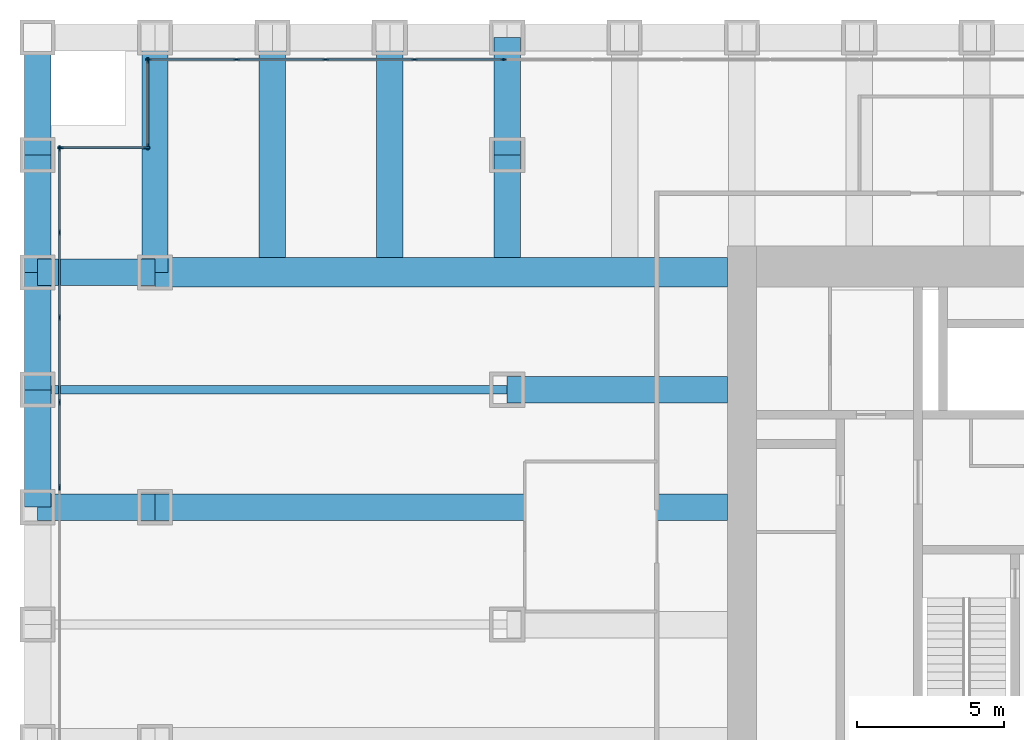
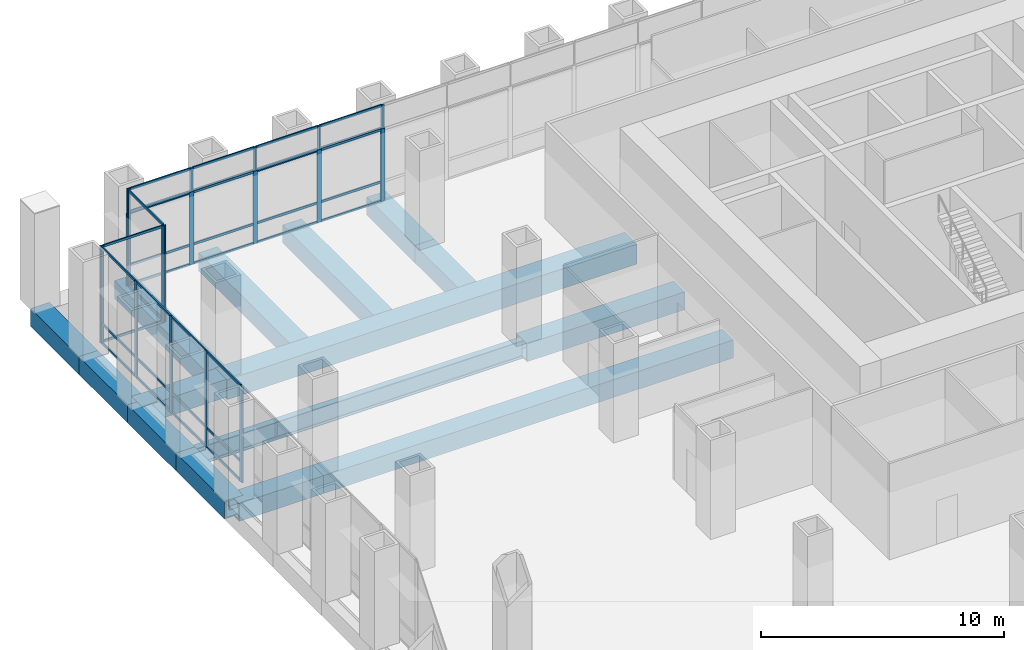
# One storey, part 8 of 18: 55 members, 15 beams, 5 elements without a shape of their own.
"""IFC4 building model written with IfcOpenShell, lengths in metres."""

from ifc_helpers import new_model, si_unit, direction, frame, origin, origin_2d, place, context, subcontext, project, spatial, rectangle, hollow_rectangle, i_section, extrude, material, material_profile, profile_set, type_object, element, aggregate, save


model = new_model("IFC4")

# Units and contexts
model_context = context("Model", 3, precision=1e-05, world=origin(), true_north=direction((0.0, 1.0)))
body_context = subcontext(model_context, "Body", "Model", "MODEL_VIEW")
ifc_project = project(units=[si_unit("LENGTHUNIT", "METRE"), si_unit("AREAUNIT", "SQUARE_METRE"), si_unit("VOLUMEUNIT", "CUBIC_METRE"), si_unit("PLANEANGLEUNIT", "RADIAN"), si_unit("MASSUNIT", "GRAM", prefix="KILO")], contexts=[model_context])

# Site, building, storey
site_placement = place(None, origin())
site = spatial("IfcSite", under=ifc_project, at=site_placement, CompositionType="ELEMENT")
building_placement = place(site_placement, origin())
building = spatial("IfcBuilding", under=site, at=building_placement, Name="Rimbunsela Tower", CompositionType="ELEMENT")
storey_placement = place(building_placement, frame((0.0, 0.0, 6.0)))
storey = spatial("IfcBuildingStorey", under=building, at=storey_placement, Name="L01", CompositionType="ELEMENT", Elevation=6.0)

# Beams
ifc_material_1 = material(Name="Steel BJ 55 (fy 410 MPa)", Category="steel")
ifc_material_profile_1 = material_profile(ifc_material_1, hollow_rectangle(XDim=1.0, YDim=1.0, WallThickness=0.10009765625, at=origin_2d()), Name="BOX 1000x1000x100")
ifc_profile_set_1 = profile_set([ifc_material_profile_1], Name="Steel BJ 55 (fy 410 MPa)")
beam_type_1 = type_object("IfcBeamType", Name="Beam BOX 1000x1000x100", PredefinedType="BEAM", material=ifc_profile_set_1)
beam_1_placement = place(storey_placement, frame((-2.0, 36.0, -0.64990234375), z_axis=(1.0, 0.0, 0.0), x_axis=(0.0, 1.0, 0.0)))
element("IfcBeam", 1, at=beam_1_placement, inside=storey, type_object=beam_type_1, Name="Beam B3 L01", PredefinedType="BEAM", context=body_context, shape_type="SweptSolid", body=[
    extrude(hollow_rectangle(XDim=1.0, YDim=1.0, WallThickness=0.10009765625, at=origin_2d()), origin(), (0.0, 0.0, 1.0), 19.5),
])
ifc_material_2 = material(Name="Steel BJ 55 (fy 410 MPa)", Category="steel")
ifc_material_profile_2 = material_profile(ifc_material_2, hollow_rectangle(XDim=0.89990234375, YDim=0.89990234375, WallThickness=0.06005859375, at=origin_2d()), Name="BOX 900x900x60")
ifc_profile_set_2 = profile_set([ifc_material_profile_2], Name="Steel BJ 55 (fy 410 MPa)")
beam_type_2 = type_object("IfcBeamType", Name="Beam BOX 900x900x60", PredefinedType="BEAM", material=ifc_profile_set_2)
for number, where, z_axis, x_axis, name in (
    (2, (-6.0, 28.0, -0.60009765625), (0.0, 1.0, 0.0), (-1.0, 0.0, 0.0), "Beam B1 L01"),
    (3, (-6.0, 28.0, -0.60009765625), (1.0, 0.0, 0.0), (0.0, 1.0, 0.0), "Beam B1 L01"),
    (4, (-6.0, 32.0, -0.60009765625), (0.0, 1.0, 0.0), (-1.0, 0.0, 0.0), "Beam B1 L01"),
    (5, (-6.0, 36.0, -0.60009765625), (0.0, 1.0, 0.0), (-1.0, 0.0, 0.0), "Beam B1 L01"),
    (6, (-6.0, 36.0, -0.60009765625), (1.0, 0.0, 0.0), (0.0, 1.0, 0.0), "Beam B1 L01"),
    (7, (-6.0, 40.0, -0.60009765625), (0.0, 1.0, 0.0), (-1.0, 0.0, 0.0), "Beam B1 L01"),
):
    element("IfcBeam", number, at=place(storey_placement, frame(where, z_axis=z_axis, x_axis=x_axis)), inside=storey, type_object=beam_type_2, Name=name, PredefinedType="BEAM", context=body_context, shape_type="SweptSolid", body=[
        extrude(hollow_rectangle(XDim=0.89990234375, YDim=0.89990234375, WallThickness=0.06005859375, at=origin_2d()), origin(), (0.0, 0.0, 1.0), 4.0),
    ])
beam_2_placement = place(storey_placement, frame((-2.0, 28.0, -0.60009765625), z_axis=(1.0, 0.0, 0.0), x_axis=(0.0, 1.0, 0.0)))
element("IfcBeam", 8, at=beam_2_placement, inside=storey, type_object=beam_type_2, Name="Beam B1 L01", PredefinedType="BEAM", context=body_context, shape_type="SweptSolid", body=[
    extrude(hollow_rectangle(XDim=0.89990234375, YDim=0.89990234375, WallThickness=0.06005859375, at=origin_2d()), origin(), (0.0, 0.0, 1.0), 19.5),
])
beam_3_placement = place(storey_placement, frame((-2.0, 36.0, -0.60009765625), z_axis=(0.0, 1.0, 0.0), x_axis=(-1.0, 0.0, 0.0)))
element("IfcBeam", 9, at=beam_3_placement, inside=storey, type_object=beam_type_2, Name="Beam B1 L01", PredefinedType="BEAM", context=body_context, shape_type="SweptSolid", body=[
    extrude(hollow_rectangle(XDim=0.89990234375, YDim=0.89990234375, WallThickness=0.06005859375, at=origin_2d()), origin(), (0.0, 0.0, 1.0), 8.0),
])
for number, where, z_axis, x_axis, name in (
    (10, (2.0, 36.5, -0.60009765625), (0.0, 1.0, 0.0), (-1.0, 0.0, 0.0), "Beam B1 L01"),
    (11, (6.0, 36.5, -0.60009765625), (0.0, 1.0, 0.0), (-1.0, 0.0, 0.0), "Beam B1 L01"),
    (12, (10.0, 32.0, -0.60009765625), (1.0, 0.0, 0.0), (0.0, 1.0, 0.0), "Beam B1 L01"),
):
    element("IfcBeam", number, at=place(storey_placement, frame(where, z_axis=z_axis, x_axis=x_axis)), inside=storey, type_object=beam_type_2, Name=name, PredefinedType="BEAM", context=body_context, shape_type="SweptSolid", body=[
        extrude(hollow_rectangle(XDim=0.89990234375, YDim=0.89990234375, WallThickness=0.06005859375, at=origin_2d()), origin(), (0.0, 0.0, 1.0), 7.5),
    ])
beam_4_placement = place(storey_placement, frame((10.0, 36.5, -0.60009765625), z_axis=(0.0, 1.0, 0.0), x_axis=(-1.0, 0.0, 0.0)))
element("IfcBeam", 13, at=beam_4_placement, inside=storey, type_object=beam_type_2, Name="Beam B1 L01", PredefinedType="BEAM", context=body_context, shape_type="SweptSolid", body=[
    extrude(hollow_rectangle(XDim=0.89990234375, YDim=0.89990234375, WallThickness=0.06005859375, at=origin_2d()), origin(), (0.0, 0.0, 1.0), 3.5),
])
beam_5_placement = place(storey_placement, frame((10.0, 40.0, -0.60009765625), z_axis=(0.0, 1.0, 0.0), x_axis=(-1.0, 0.0, 0.0)))
element("IfcBeam", 14, at=beam_5_placement, inside=storey, type_object=beam_type_2, Name="Beam B1 L01", PredefinedType="BEAM", context=body_context, shape_type="SweptSolid", body=[
    extrude(hollow_rectangle(XDim=0.89990234375, YDim=0.89990234375, WallThickness=0.06005859375, at=origin_2d()), origin(), (0.0, 0.0, 1.0), 4.0),
])
ifc_material_3 = material(Name="Steel BJ 55 (fy 410 MPa)", Category="steel")
ifc_material_profile_3 = material_profile(ifc_material_3, i_section(OverallWidth=0.300048828125, OverallDepth=0.89990234375, WebThickness=0.01611328125, FlangeThickness=0.028076171875, FilletRadius=0.028076171875, at=origin_2d()), Name="H 900x300x16x28")
ifc_profile_set_3 = profile_set([ifc_material_profile_3], Name="Steel BJ 55 (fy 410 MPa)")
beam_type_3 = type_object("IfcBeamType", Name="Beam H 900x300x16x28", PredefinedType="BEAM", material=ifc_profile_set_3)
beam_6_placement = place(storey_placement, frame((-6.0, 32.0, -0.60009765625), z_axis=(1.0, 0.0, 0.0), x_axis=(0.0, 1.0, 0.0)))
element("IfcBeam", 15, at=beam_6_placement, inside=storey, type_object=beam_type_3, Name="Beam B2 L01", PredefinedType="BEAM", context=body_context, shape_type="SweptSolid", body=[
    extrude(i_section(OverallWidth=0.300048828125, OverallDepth=0.89990234375, WebThickness=0.01611328125, FlangeThickness=0.028076171875, FilletRadius=0.028076171875, at=origin_2d()), origin(), (0.0, 0.0, 1.0), 16.0),
])

# Curtain wall, members
ifc_material_4 = material(Name="Aluminium curtain wall", Category="aluminium")
curtain_wall_type_1 = type_object("IfcCurtainWallType", Name="Spandrel wall", PredefinedType="USERDEFINED", material=ifc_material_4)
curtain_wall_1_placement = place(storey_placement, origin())
curtain_wall_1 = element("IfcCurtainWall", 16, at=curtain_wall_1_placement, inside=storey, type_object=curtain_wall_type_1, Name="Spandrel wall L01", ObjectType="SPANDREL WALL", PredefinedType="USERDEFINED")
ifc_material_5 = material(Name="Aluminium mullion", Category="aluminium")
ifc_material_profile_4 = material_profile(ifc_material_5, rectangle(XDim=0.06005859375, YDim=0.159912109375, at=origin_2d()), Name="Mullion 60x160")
ifc_profile_set_4 = profile_set([ifc_material_profile_4], Name="Aluminium mullion")
member_type_1 = type_object("IfcMemberType", Name="Curtain wall mullion 60x160", PredefinedType="MULLION", material=ifc_profile_set_4)
member_1_placement = place(storey_placement, frame((9.875, 43.25, 3.64990234375), z_axis=(0.0, 0.0, 1.0), x_axis=(0.0, -1.0, 0.0)))
member_1 = element("IfcMember", 17, at=member_1_placement, type_object=member_type_1, Name="CW7 mullion 13", PredefinedType="MULLION", context=body_context, shape_type="SweptSolid", body=[
    extrude(rectangle(XDim=0.06005859375, YDim=0.159912109375, at=origin_2d()), origin(), (0.0, 0.0, 1.0), 1.2001953125),
])
member_2_placement = place(storey_placement, frame((6.84375, 43.25, 3.64990234375), z_axis=(0.0, 0.0, 1.0), x_axis=(0.0, -1.0, 0.0)))
member_2 = element("IfcMember", 18, at=member_2_placement, type_object=member_type_1, Name="CW7 mullion 14", PredefinedType="MULLION", context=body_context, shape_type="SweptSolid", body=[
    extrude(rectangle(XDim=0.06005859375, YDim=0.159912109375, at=origin_2d()), origin(), (0.0, 0.0, 1.0), 1.2001953125),
])
member_3_placement = place(storey_placement, frame((3.8125, 43.25, 3.64990234375), z_axis=(0.0, 0.0, 1.0), x_axis=(0.0, -1.0, 0.0)))
member_3 = element("IfcMember", 19, at=member_3_placement, type_object=member_type_1, Name="CW7 mullion 15", PredefinedType="MULLION", context=body_context, shape_type="SweptSolid", body=[
    extrude(rectangle(XDim=0.06005859375, YDim=0.159912109375, at=origin_2d()), origin(), (0.0, 0.0, 1.0), 1.2001953125),
])
member_4_placement = place(storey_placement, frame((0.78125, 43.25, 3.64990234375), z_axis=(0.0, 0.0, 1.0), x_axis=(0.0, -1.0, 0.0)))
member_4 = element("IfcMember", 20, at=member_4_placement, type_object=member_type_1, Name="CW7 mullion 16", PredefinedType="MULLION", context=body_context, shape_type="SweptSolid", body=[
    extrude(rectangle(XDim=0.06005859375, YDim=0.159912109375, at=origin_2d()), origin(), (0.0, 0.0, 1.0), 1.2001953125),
])
member_5_placement = place(storey_placement, frame((-2.219970703125, 43.25, 3.64990234375), z_axis=(0.0, 0.0, 1.0), x_axis=(0.0, -1.0, 0.0)))
member_5 = element("IfcMember", 21, at=member_5_placement, type_object=member_type_1, Name="CW7 mullion 17", PredefinedType="MULLION", context=body_context, shape_type="SweptSolid", body=[
    extrude(rectangle(XDim=0.06005859375, YDim=0.159912109375, at=origin_2d()), origin(), (0.0, 0.0, 1.0), 1.2001953125),
])

ifc_material_6 = material(Name="Aluminium curtain wall", Category="aluminium")
curtain_wall_type_2 = type_object("IfcCurtainWallType", Name="Podium glazing", PredefinedType="USERDEFINED", material=ifc_material_6)
curtain_wall_2_placement = place(storey_placement, origin())
curtain_wall_2 = element("IfcCurtainWall", 22, at=curtain_wall_2_placement, inside=storey, type_object=curtain_wall_type_2, Name="Podium glazing L01", ObjectType="PODIUM GLAZING", PredefinedType="USERDEFINED")
ifc_material_7 = material(Name="Aluminium mullion", Category="aluminium")
ifc_material_profile_5 = material_profile(ifc_material_7, rectangle(XDim=0.06005859375, YDim=0.199951171875, at=origin_2d()), Name="Mullion 60x200")
ifc_profile_set_5 = profile_set([ifc_material_profile_5], Name="Aluminium mullion")
member_type_2 = type_object("IfcMemberType", Name="Curtain wall mullion 60x200", PredefinedType="MULLION", material=ifc_profile_set_5)
member_6_placement = place(storey_placement, frame((9.875, 43.25, 0.0), z_axis=(0.0, 0.0, 1.0), x_axis=(0.0, -1.0, 0.0)))
member_6 = element("IfcMember", 23, at=member_6_placement, type_object=member_type_2, Name="CW1 mullion 13", PredefinedType="MULLION", context=body_context, shape_type="SweptSolid", body=[
    extrude(rectangle(XDim=0.06005859375, YDim=0.199951171875, at=origin_2d()), origin(), (0.0, 0.0, 1.0), 3.64990234375),
])
member_7_placement = place(storey_placement, frame((6.84375, 43.25, 0.0), z_axis=(0.0, 0.0, 1.0), x_axis=(0.0, -1.0, 0.0)))
member_7 = element("IfcMember", 24, at=member_7_placement, type_object=member_type_2, Name="CW1 mullion 14", PredefinedType="MULLION", context=body_context, shape_type="SweptSolid", body=[
    extrude(rectangle(XDim=0.06005859375, YDim=0.199951171875, at=origin_2d()), origin(), (0.0, 0.0, 1.0), 3.64990234375),
])
member_8_placement = place(storey_placement, frame((3.8125, 43.25, 0.0), z_axis=(0.0, 0.0, 1.0), x_axis=(0.0, -1.0, 0.0)))
member_8 = element("IfcMember", 25, at=member_8_placement, type_object=member_type_2, Name="CW1 mullion 15", PredefinedType="MULLION", context=body_context, shape_type="SweptSolid", body=[
    extrude(rectangle(XDim=0.06005859375, YDim=0.199951171875, at=origin_2d()), origin(), (0.0, 0.0, 1.0), 3.64990234375),
])
member_9_placement = place(storey_placement, frame((0.78125, 43.25, 0.0), z_axis=(0.0, 0.0, 1.0), x_axis=(0.0, -1.0, 0.0)))
member_9 = element("IfcMember", 26, at=member_9_placement, type_object=member_type_2, Name="CW1 mullion 16", PredefinedType="MULLION", context=body_context, shape_type="SweptSolid", body=[
    extrude(rectangle(XDim=0.06005859375, YDim=0.199951171875, at=origin_2d()), origin(), (0.0, 0.0, 1.0), 3.64990234375),
])
member_10_placement = place(storey_placement, frame((-2.219970703125, 43.25, 0.0), z_axis=(0.0, 0.0, 1.0), x_axis=(0.0, -1.0, 0.0)))
member_10 = element("IfcMember", 27, at=member_10_placement, type_object=member_type_2, Name="CW1 mullion 17", PredefinedType="MULLION", context=body_context, shape_type="SweptSolid", body=[
    extrude(rectangle(XDim=0.06005859375, YDim=0.199951171875, at=origin_2d()), origin(), (0.0, 0.0, 1.0), 3.64990234375),
])

ifc_material_8 = material(Name="Aluminium curtain wall", Category="aluminium")
curtain_wall_type_3 = type_object("IfcCurtainWallType", Name="Corner glazing", PredefinedType="USERDEFINED", material=ifc_material_8)
curtain_wall_3_placement = place(storey_placement, origin())
curtain_wall_3 = element("IfcCurtainWall", 28, at=curtain_wall_3_placement, inside=storey, type_object=curtain_wall_type_3, Name="Corner glazing L01", ObjectType="CORNER GLAZING", PredefinedType="USERDEFINED")
member_11_placement = place(storey_placement, frame((-2.25, 43.219970703125, 0.0), z_axis=(0.0, 0.0, 1.0), x_axis=(1.0, 0.0, 0.0)))
member_11 = element("IfcMember", 29, at=member_11_placement, type_object=member_type_2, Name="CW5 mullion 1", PredefinedType="MULLION", context=body_context, shape_type="SweptSolid", body=[
    extrude(rectangle(XDim=0.06005859375, YDim=0.199951171875, at=origin_2d()), origin(), (0.0, 0.0, 1.0), 4.85009765625),
])
member_12_placement = place(storey_placement, frame((-2.25, 40.280029296875, 0.0), z_axis=(0.0, 0.0, 1.0), x_axis=(1.0, 0.0, 0.0)))
member_12 = element("IfcMember", 30, at=member_12_placement, type_object=member_type_2, Name="CW5 mullion 2", PredefinedType="MULLION", context=body_context, shape_type="SweptSolid", body=[
    extrude(rectangle(XDim=0.06005859375, YDim=0.199951171875, at=origin_2d()), origin(), (0.0, 0.0, 1.0), 4.85009765625),
])

curtain_wall_4_placement = place(storey_placement, origin())
curtain_wall_4 = element("IfcCurtainWall", 31, at=curtain_wall_4_placement, inside=storey, type_object=curtain_wall_type_3, Name="Corner glazing L01", ObjectType="CORNER GLAZING", PredefinedType="USERDEFINED")
member_13_placement = place(storey_placement, frame((-2.280029296875, 40.25, 0.0), z_axis=(0.0, 0.0, 1.0), x_axis=(0.0, -1.0, 0.0)))
member_13 = element("IfcMember", 32, at=member_13_placement, type_object=member_type_2, Name="CW5 mullion 1", PredefinedType="MULLION", context=body_context, shape_type="SweptSolid", body=[
    extrude(rectangle(XDim=0.06005859375, YDim=0.199951171875, at=origin_2d()), origin(), (0.0, 0.0, 1.0), 4.85009765625),
])
member_14_placement = place(storey_placement, frame((-5.219970703125, 40.25, 0.0), z_axis=(0.0, 0.0, 1.0), x_axis=(0.0, -1.0, 0.0)))
member_14 = element("IfcMember", 33, at=member_14_placement, type_object=member_type_2, Name="CW5 mullion 2", PredefinedType="MULLION", context=body_context, shape_type="SweptSolid", body=[
    extrude(rectangle(XDim=0.06005859375, YDim=0.199951171875, at=origin_2d()), origin(), (0.0, 0.0, 1.0), 4.85009765625),
])

curtain_wall_5_placement = place(storey_placement, origin())
curtain_wall_5 = element("IfcCurtainWall", 34, at=curtain_wall_5_placement, inside=storey, type_object=curtain_wall_type_2, Name="Podium glazing L01", ObjectType="PODIUM GLAZING", PredefinedType="USERDEFINED")
member_15_placement = place(storey_placement, frame((-5.25, 40.219970703125, 0.0), z_axis=(0.0, 0.0, 1.0), x_axis=(1.0, 0.0, 0.0)))
member_15 = element("IfcMember", 35, at=member_15_placement, type_object=member_type_2, Name="CW1 mullion 1", PredefinedType="MULLION", context=body_context, shape_type="SweptSolid", body=[
    extrude(rectangle(XDim=0.06005859375, YDim=0.199951171875, at=origin_2d()), origin(), (0.0, 0.0, 1.0), 4.85009765625),
])
member_16_placement = place(storey_placement, frame((-5.25, 37.357177734375, 0.0), z_axis=(0.0, 0.0, 1.0), x_axis=(1.0, 0.0, 0.0)))
member_16 = element("IfcMember", 36, at=member_16_placement, type_object=member_type_2, Name="CW1 mullion 2", PredefinedType="MULLION", context=body_context, shape_type="SweptSolid", body=[
    extrude(rectangle(XDim=0.06005859375, YDim=0.199951171875, at=origin_2d()), origin(), (0.0, 0.0, 1.0), 4.85009765625),
])
member_17_placement = place(storey_placement, frame((-5.25, 34.46435546875, 0.0), z_axis=(0.0, 0.0, 1.0), x_axis=(1.0, 0.0, 0.0)))
member_17 = element("IfcMember", 37, at=member_17_placement, type_object=member_type_2, Name="CW1 mullion 3", PredefinedType="MULLION", context=body_context, shape_type="SweptSolid", body=[
    extrude(rectangle(XDim=0.06005859375, YDim=0.199951171875, at=origin_2d()), origin(), (0.0, 0.0, 1.0), 4.85009765625),
])
member_18_placement = place(storey_placement, frame((-5.25, 31.571533203125, 0.0), z_axis=(0.0, 0.0, 1.0), x_axis=(1.0, 0.0, 0.0)))
member_18 = element("IfcMember", 38, at=member_18_placement, type_object=member_type_2, Name="CW1 mullion 4", PredefinedType="MULLION", context=body_context, shape_type="SweptSolid", body=[
    extrude(rectangle(XDim=0.06005859375, YDim=0.199951171875, at=origin_2d()), origin(), (0.0, 0.0, 1.0), 4.85009765625),
])
member_19_placement = place(storey_placement, frame((-5.25, 28.678466796875, 0.0), z_axis=(0.0, 0.0, 1.0), x_axis=(1.0, 0.0, 0.0)))
member_19 = element("IfcMember", 39, at=member_19_placement, type_object=member_type_2, Name="CW1 mullion 5", PredefinedType="MULLION", context=body_context, shape_type="SweptSolid", body=[
    extrude(rectangle(XDim=0.06005859375, YDim=0.199951171875, at=origin_2d()), origin(), (0.0, 0.0, 1.0), 4.85009765625),
])

# Member
ifc_material_9 = material(Name="Aluminium transom", Category="aluminium")
ifc_material_profile_6 = material_profile(ifc_material_9, rectangle(XDim=0.06005859375, YDim=0.1201171875, at=origin_2d()), Name="Transom 60x120")
ifc_profile_set_6 = profile_set([ifc_material_profile_6], Name="Aluminium transom")
member_type_3 = type_object("IfcMemberType", Name="Curtain wall transom 60x120", PredefinedType="USERDEFINED", material=ifc_profile_set_6)
member_20_placement = place(storey_placement, frame((9.844970703125, 43.25, 0.030029296875), z_axis=(-1.0, 0.0, 0.0), x_axis=(0.0, -1.0, 0.0)))
member_20 = element("IfcMember", 40, at=member_20_placement, type_object=member_type_3, Name="CW1 transom 13.1", ObjectType="TRANSOM", PredefinedType="USERDEFINED", context=body_context, shape_type="SweptSolid", body=[
    extrude(rectangle(XDim=0.06005859375, YDim=0.1201171875, at=origin_2d()), origin(), (0.0, 0.0, 1.0), 2.97119140625),
])

member_21_placement = place(storey_placement, frame((9.844970703125, 43.25, 1.0), z_axis=(-1.0, 0.0, 0.0), x_axis=(0.0, -1.0, 0.0)))
member_21 = element("IfcMember", 41, at=member_21_placement, type_object=member_type_3, Name="CW1 transom 13.2", ObjectType="TRANSOM", PredefinedType="USERDEFINED", context=body_context, shape_type="SweptSolid", body=[
    extrude(rectangle(XDim=0.06005859375, YDim=0.1201171875, at=origin_2d()), origin(), (0.0, 0.0, 1.0), 2.97119140625),
])

member_22_placement = place(storey_placement, frame((9.844970703125, 43.25, 3.6201171875), z_axis=(-1.0, 0.0, 0.0), x_axis=(0.0, -1.0, 0.0)))
member_22 = element("IfcMember", 42, at=member_22_placement, type_object=member_type_3, Name="CW1 transom 13.3", ObjectType="TRANSOM", PredefinedType="USERDEFINED", context=body_context, shape_type="SweptSolid", body=[
    extrude(rectangle(XDim=0.06005859375, YDim=0.1201171875, at=origin_2d()), origin(), (0.0, 0.0, 1.0), 2.97119140625),
])

member_23_placement = place(storey_placement, frame((6.813720703125, 43.25, 0.030029296875), z_axis=(-1.0, 0.0, 0.0), x_axis=(0.0, -1.0, 0.0)))
member_23 = element("IfcMember", 43, at=member_23_placement, type_object=member_type_3, Name="CW1 transom 14.1", ObjectType="TRANSOM", PredefinedType="USERDEFINED", context=body_context, shape_type="SweptSolid", body=[
    extrude(rectangle(XDim=0.06005859375, YDim=0.1201171875, at=origin_2d()), origin(), (0.0, 0.0, 1.0), 2.97119140625),
])

member_24_placement = place(storey_placement, frame((6.813720703125, 43.25, 1.0), z_axis=(-1.0, 0.0, 0.0), x_axis=(0.0, -1.0, 0.0)))
member_24 = element("IfcMember", 44, at=member_24_placement, type_object=member_type_3, Name="CW1 transom 14.2", ObjectType="TRANSOM", PredefinedType="USERDEFINED", context=body_context, shape_type="SweptSolid", body=[
    extrude(rectangle(XDim=0.06005859375, YDim=0.1201171875, at=origin_2d()), origin(), (0.0, 0.0, 1.0), 2.97119140625),
])

member_25_placement = place(storey_placement, frame((6.813720703125, 43.25, 3.6201171875), z_axis=(-1.0, 0.0, 0.0), x_axis=(0.0, -1.0, 0.0)))
member_25 = element("IfcMember", 45, at=member_25_placement, type_object=member_type_3, Name="CW1 transom 14.3", ObjectType="TRANSOM", PredefinedType="USERDEFINED", context=body_context, shape_type="SweptSolid", body=[
    extrude(rectangle(XDim=0.06005859375, YDim=0.1201171875, at=origin_2d()), origin(), (0.0, 0.0, 1.0), 2.97119140625),
])

member_26_placement = place(storey_placement, frame((3.782470703125, 43.25, 0.030029296875), z_axis=(-1.0, 0.0, 0.0), x_axis=(0.0, -1.0, 0.0)))
member_26 = element("IfcMember", 46, at=member_26_placement, type_object=member_type_3, Name="CW1 transom 15.1", ObjectType="TRANSOM", PredefinedType="USERDEFINED", context=body_context, shape_type="SweptSolid", body=[
    extrude(rectangle(XDim=0.06005859375, YDim=0.1201171875, at=origin_2d()), origin(), (0.0, 0.0, 1.0), 2.97119140625),
])

member_27_placement = place(storey_placement, frame((3.782470703125, 43.25, 1.0), z_axis=(-1.0, 0.0, 0.0), x_axis=(0.0, -1.0, 0.0)))
member_27 = element("IfcMember", 47, at=member_27_placement, type_object=member_type_3, Name="CW1 transom 15.2", ObjectType="TRANSOM", PredefinedType="USERDEFINED", context=body_context, shape_type="SweptSolid", body=[
    extrude(rectangle(XDim=0.06005859375, YDim=0.1201171875, at=origin_2d()), origin(), (0.0, 0.0, 1.0), 2.97119140625),
])

member_28_placement = place(storey_placement, frame((3.782470703125, 43.25, 3.6201171875), z_axis=(-1.0, 0.0, 0.0), x_axis=(0.0, -1.0, 0.0)))
member_28 = element("IfcMember", 48, at=member_28_placement, type_object=member_type_3, Name="CW1 transom 15.3", ObjectType="TRANSOM", PredefinedType="USERDEFINED", context=body_context, shape_type="SweptSolid", body=[
    extrude(rectangle(XDim=0.06005859375, YDim=0.1201171875, at=origin_2d()), origin(), (0.0, 0.0, 1.0), 2.97119140625),
])

member_29_placement = place(storey_placement, frame((0.751220703125, 43.25, 0.030029296875), z_axis=(-1.0, 0.0, 0.0), x_axis=(0.0, -1.0, 0.0)))
member_29 = element("IfcMember", 49, at=member_29_placement, type_object=member_type_3, Name="CW1 transom 16.1", ObjectType="TRANSOM", PredefinedType="USERDEFINED", context=body_context, shape_type="SweptSolid", body=[
    extrude(rectangle(XDim=0.06005859375, YDim=0.1201171875, at=origin_2d()), origin(), (0.0, 0.0, 1.0), 2.941162109375),
])

member_30_placement = place(storey_placement, frame((0.751220703125, 43.25, 1.0), z_axis=(-1.0, 0.0, 0.0), x_axis=(0.0, -1.0, 0.0)))
member_30 = element("IfcMember", 50, at=member_30_placement, type_object=member_type_3, Name="CW1 transom 16.2", ObjectType="TRANSOM", PredefinedType="USERDEFINED", context=body_context, shape_type="SweptSolid", body=[
    extrude(rectangle(XDim=0.06005859375, YDim=0.1201171875, at=origin_2d()), origin(), (0.0, 0.0, 1.0), 2.941162109375),
])

member_31_placement = place(storey_placement, frame((0.751220703125, 43.25, 3.6201171875), z_axis=(-1.0, 0.0, 0.0), x_axis=(0.0, -1.0, 0.0)))
member_31 = element("IfcMember", 51, at=member_31_placement, type_object=member_type_3, Name="CW1 transom 16.3", ObjectType="TRANSOM", PredefinedType="USERDEFINED", context=body_context, shape_type="SweptSolid", body=[
    extrude(rectangle(XDim=0.06005859375, YDim=0.1201171875, at=origin_2d()), origin(), (0.0, 0.0, 1.0), 2.941162109375),
])

aggregate(curtain_wall_2, [member_6, member_7, member_8, member_9, member_10, member_20, member_21, member_22, member_23, member_24, member_25, member_26, member_27, member_28, member_29, member_30, member_31])

member_32_placement = place(storey_placement, frame((9.844970703125, 43.25, 3.679931640625), z_axis=(-1.0, 0.0, 0.0), x_axis=(0.0, -1.0, 0.0)))
member_32 = element("IfcMember", 52, at=member_32_placement, type_object=member_type_3, Name="CW7 transom 13.1", ObjectType="TRANSOM", PredefinedType="USERDEFINED", context=body_context, shape_type="SweptSolid", body=[
    extrude(rectangle(XDim=0.06005859375, YDim=0.1201171875, at=origin_2d()), origin(), (0.0, 0.0, 1.0), 2.97119140625),
])

member_33_placement = place(storey_placement, frame((9.844970703125, 43.25, 4.820068359375), z_axis=(-1.0, 0.0, 0.0), x_axis=(0.0, -1.0, 0.0)))
member_33 = element("IfcMember", 53, at=member_33_placement, type_object=member_type_3, Name="CW7 transom 13.2", ObjectType="TRANSOM", PredefinedType="USERDEFINED", context=body_context, shape_type="SweptSolid", body=[
    extrude(rectangle(XDim=0.06005859375, YDim=0.1201171875, at=origin_2d()), origin(), (0.0, 0.0, 1.0), 2.97119140625),
])

member_34_placement = place(storey_placement, frame((6.813720703125, 43.25, 3.679931640625), z_axis=(-1.0, 0.0, 0.0), x_axis=(0.0, -1.0, 0.0)))
member_34 = element("IfcMember", 54, at=member_34_placement, type_object=member_type_3, Name="CW7 transom 14.1", ObjectType="TRANSOM", PredefinedType="USERDEFINED", context=body_context, shape_type="SweptSolid", body=[
    extrude(rectangle(XDim=0.06005859375, YDim=0.1201171875, at=origin_2d()), origin(), (0.0, 0.0, 1.0), 2.97119140625),
])

member_35_placement = place(storey_placement, frame((6.813720703125, 43.25, 4.820068359375), z_axis=(-1.0, 0.0, 0.0), x_axis=(0.0, -1.0, 0.0)))
member_35 = element("IfcMember", 55, at=member_35_placement, type_object=member_type_3, Name="CW7 transom 14.2", ObjectType="TRANSOM", PredefinedType="USERDEFINED", context=body_context, shape_type="SweptSolid", body=[
    extrude(rectangle(XDim=0.06005859375, YDim=0.1201171875, at=origin_2d()), origin(), (0.0, 0.0, 1.0), 2.97119140625),
])

member_36_placement = place(storey_placement, frame((3.782470703125, 43.25, 3.679931640625), z_axis=(-1.0, 0.0, 0.0), x_axis=(0.0, -1.0, 0.0)))
member_36 = element("IfcMember", 56, at=member_36_placement, type_object=member_type_3, Name="CW7 transom 15.1", ObjectType="TRANSOM", PredefinedType="USERDEFINED", context=body_context, shape_type="SweptSolid", body=[
    extrude(rectangle(XDim=0.06005859375, YDim=0.1201171875, at=origin_2d()), origin(), (0.0, 0.0, 1.0), 2.97119140625),
])

member_37_placement = place(storey_placement, frame((3.782470703125, 43.25, 4.820068359375), z_axis=(-1.0, 0.0, 0.0), x_axis=(0.0, -1.0, 0.0)))
member_37 = element("IfcMember", 57, at=member_37_placement, type_object=member_type_3, Name="CW7 transom 15.2", ObjectType="TRANSOM", PredefinedType="USERDEFINED", context=body_context, shape_type="SweptSolid", body=[
    extrude(rectangle(XDim=0.06005859375, YDim=0.1201171875, at=origin_2d()), origin(), (0.0, 0.0, 1.0), 2.97119140625),
])

member_38_placement = place(storey_placement, frame((0.751220703125, 43.25, 3.679931640625), z_axis=(-1.0, 0.0, 0.0), x_axis=(0.0, -1.0, 0.0)))
member_38 = element("IfcMember", 58, at=member_38_placement, type_object=member_type_3, Name="CW7 transom 16.1", ObjectType="TRANSOM", PredefinedType="USERDEFINED", context=body_context, shape_type="SweptSolid", body=[
    extrude(rectangle(XDim=0.06005859375, YDim=0.1201171875, at=origin_2d()), origin(), (0.0, 0.0, 1.0), 2.941162109375),
])

member_39_placement = place(storey_placement, frame((0.751220703125, 43.25, 4.820068359375), z_axis=(-1.0, 0.0, 0.0), x_axis=(0.0, -1.0, 0.0)))
member_39 = element("IfcMember", 59, at=member_39_placement, type_object=member_type_3, Name="CW7 transom 16.2", ObjectType="TRANSOM", PredefinedType="USERDEFINED", context=body_context, shape_type="SweptSolid", body=[
    extrude(rectangle(XDim=0.06005859375, YDim=0.1201171875, at=origin_2d()), origin(), (0.0, 0.0, 1.0), 2.941162109375),
])

aggregate(curtain_wall_1, [member_1, member_2, member_3, member_4, member_5, member_32, member_33, member_34, member_35, member_36, member_37, member_38, member_39])

member_40_placement = place(storey_placement, frame((-2.25, 43.18994140625, 0.030029296875), z_axis=(0.0, -1.0, 0.0), x_axis=(1.0, 0.0, 0.0)))
member_40 = element("IfcMember", 60, at=member_40_placement, type_object=member_type_3, Name="CW5 transom 1.1", ObjectType="TRANSOM", PredefinedType="USERDEFINED", context=body_context, shape_type="SweptSolid", body=[
    extrude(rectangle(XDim=0.06005859375, YDim=0.1201171875, at=origin_2d()), origin(), (0.0, 0.0, 1.0), 2.8798828125),
])

member_41_placement = place(storey_placement, frame((-2.25, 43.18994140625, 4.820068359375), z_axis=(0.0, -1.0, 0.0), x_axis=(1.0, 0.0, 0.0)))
member_41 = element("IfcMember", 61, at=member_41_placement, type_object=member_type_3, Name="CW5 transom 1.2", ObjectType="TRANSOM", PredefinedType="USERDEFINED", context=body_context, shape_type="SweptSolid", body=[
    extrude(rectangle(XDim=0.06005859375, YDim=0.1201171875, at=origin_2d()), origin(), (0.0, 0.0, 1.0), 2.8798828125),
])

aggregate(curtain_wall_3, [member_11, member_12, member_40, member_41])

member_42_placement = place(storey_placement, frame((-2.31005859375, 40.25, 0.030029296875), z_axis=(-1.0, 0.0, 0.0), x_axis=(0.0, -1.0, 0.0)))
member_42 = element("IfcMember", 62, at=member_42_placement, type_object=member_type_3, Name="CW5 transom 1.1", ObjectType="TRANSOM", PredefinedType="USERDEFINED", context=body_context, shape_type="SweptSolid", body=[
    extrude(rectangle(XDim=0.06005859375, YDim=0.1201171875, at=origin_2d()), origin(), (0.0, 0.0, 1.0), 2.8798828125),
])

member_43_placement = place(storey_placement, frame((-2.31005859375, 40.25, 4.820068359375), z_axis=(-1.0, 0.0, 0.0), x_axis=(0.0, -1.0, 0.0)))
member_43 = element("IfcMember", 63, at=member_43_placement, type_object=member_type_3, Name="CW5 transom 1.2", ObjectType="TRANSOM", PredefinedType="USERDEFINED", context=body_context, shape_type="SweptSolid", body=[
    extrude(rectangle(XDim=0.06005859375, YDim=0.1201171875, at=origin_2d()), origin(), (0.0, 0.0, 1.0), 2.8798828125),
])

aggregate(curtain_wall_4, [member_13, member_14, member_42, member_43])

member_44_placement = place(storey_placement, frame((-5.25, 40.18994140625, 0.030029296875), z_axis=(0.0, -1.0, 0.0), x_axis=(1.0, 0.0, 0.0)))
member_44 = element("IfcMember", 64, at=member_44_placement, type_object=member_type_3, Name="CW1 transom 1.1", ObjectType="TRANSOM", PredefinedType="USERDEFINED", context=body_context, shape_type="SweptSolid", body=[
    extrude(rectangle(XDim=0.06005859375, YDim=0.1201171875, at=origin_2d()), origin(), (0.0, 0.0, 1.0), 2.802734375),
])

member_45_placement = place(storey_placement, frame((-5.25, 40.18994140625, 1.0), z_axis=(0.0, -1.0, 0.0), x_axis=(1.0, 0.0, 0.0)))
member_45 = element("IfcMember", 65, at=member_45_placement, type_object=member_type_3, Name="CW1 transom 1.2", ObjectType="TRANSOM", PredefinedType="USERDEFINED", context=body_context, shape_type="SweptSolid", body=[
    extrude(rectangle(XDim=0.06005859375, YDim=0.1201171875, at=origin_2d()), origin(), (0.0, 0.0, 1.0), 2.802734375),
])

member_46_placement = place(storey_placement, frame((-5.25, 40.18994140625, 4.820068359375), z_axis=(0.0, -1.0, 0.0), x_axis=(1.0, 0.0, 0.0)))
member_46 = element("IfcMember", 66, at=member_46_placement, type_object=member_type_3, Name="CW1 transom 1.3", ObjectType="TRANSOM", PredefinedType="USERDEFINED", context=body_context, shape_type="SweptSolid", body=[
    extrude(rectangle(XDim=0.06005859375, YDim=0.1201171875, at=origin_2d()), origin(), (0.0, 0.0, 1.0), 2.802734375),
])

member_47_placement = place(storey_placement, frame((-5.25, 37.3271484375, 0.030029296875), z_axis=(0.0, -1.0, 0.0), x_axis=(1.0, 0.0, 0.0)))
member_47 = element("IfcMember", 67, at=member_47_placement, type_object=member_type_3, Name="CW1 transom 2.1", ObjectType="TRANSOM", PredefinedType="USERDEFINED", context=body_context, shape_type="SweptSolid", body=[
    extrude(rectangle(XDim=0.06005859375, YDim=0.1201171875, at=origin_2d()), origin(), (0.0, 0.0, 1.0), 2.832763671875),
])

member_48_placement = place(storey_placement, frame((-5.25, 37.3271484375, 1.0), z_axis=(0.0, -1.0, 0.0), x_axis=(1.0, 0.0, 0.0)))
member_48 = element("IfcMember", 68, at=member_48_placement, type_object=member_type_3, Name="CW1 transom 2.2", ObjectType="TRANSOM", PredefinedType="USERDEFINED", context=body_context, shape_type="SweptSolid", body=[
    extrude(rectangle(XDim=0.06005859375, YDim=0.1201171875, at=origin_2d()), origin(), (0.0, 0.0, 1.0), 2.832763671875),
])

member_49_placement = place(storey_placement, frame((-5.25, 37.3271484375, 4.820068359375), z_axis=(0.0, -1.0, 0.0), x_axis=(1.0, 0.0, 0.0)))
member_49 = element("IfcMember", 69, at=member_49_placement, type_object=member_type_3, Name="CW1 transom 2.3", ObjectType="TRANSOM", PredefinedType="USERDEFINED", context=body_context, shape_type="SweptSolid", body=[
    extrude(rectangle(XDim=0.06005859375, YDim=0.1201171875, at=origin_2d()), origin(), (0.0, 0.0, 1.0), 2.832763671875),
])

member_50_placement = place(storey_placement, frame((-5.25, 34.434326171875, 0.030029296875), z_axis=(0.0, -1.0, 0.0), x_axis=(1.0, 0.0, 0.0)))
member_50 = element("IfcMember", 70, at=member_50_placement, type_object=member_type_3, Name="CW1 transom 3.1", ObjectType="TRANSOM", PredefinedType="USERDEFINED", context=body_context, shape_type="SweptSolid", body=[
    extrude(rectangle(XDim=0.06005859375, YDim=0.1201171875, at=origin_2d()), origin(), (0.0, 0.0, 1.0), 2.8330078125),
])

member_51_placement = place(storey_placement, frame((-5.25, 34.434326171875, 1.0), z_axis=(0.0, -1.0, 0.0), x_axis=(1.0, 0.0, 0.0)))
member_51 = element("IfcMember", 71, at=member_51_placement, type_object=member_type_3, Name="CW1 transom 3.2", ObjectType="TRANSOM", PredefinedType="USERDEFINED", context=body_context, shape_type="SweptSolid", body=[
    extrude(rectangle(XDim=0.06005859375, YDim=0.1201171875, at=origin_2d()), origin(), (0.0, 0.0, 1.0), 2.8330078125),
])

member_52_placement = place(storey_placement, frame((-5.25, 34.434326171875, 4.820068359375), z_axis=(0.0, -1.0, 0.0), x_axis=(1.0, 0.0, 0.0)))
member_52 = element("IfcMember", 72, at=member_52_placement, type_object=member_type_3, Name="CW1 transom 3.3", ObjectType="TRANSOM", PredefinedType="USERDEFINED", context=body_context, shape_type="SweptSolid", body=[
    extrude(rectangle(XDim=0.06005859375, YDim=0.1201171875, at=origin_2d()), origin(), (0.0, 0.0, 1.0), 2.8330078125),
])

member_53_placement = place(storey_placement, frame((-5.25, 31.54150390625, 0.030029296875), z_axis=(0.0, -1.0, 0.0), x_axis=(1.0, 0.0, 0.0)))
member_53 = element("IfcMember", 73, at=member_53_placement, type_object=member_type_3, Name="CW1 transom 4.1", ObjectType="TRANSOM", PredefinedType="USERDEFINED", context=body_context, shape_type="SweptSolid", body=[
    extrude(rectangle(XDim=0.06005859375, YDim=0.1201171875, at=origin_2d()), origin(), (0.0, 0.0, 1.0), 2.8330078125),
])

member_54_placement = place(storey_placement, frame((-5.25, 31.54150390625, 1.0), z_axis=(0.0, -1.0, 0.0), x_axis=(1.0, 0.0, 0.0)))
member_54 = element("IfcMember", 74, at=member_54_placement, type_object=member_type_3, Name="CW1 transom 4.2", ObjectType="TRANSOM", PredefinedType="USERDEFINED", context=body_context, shape_type="SweptSolid", body=[
    extrude(rectangle(XDim=0.06005859375, YDim=0.1201171875, at=origin_2d()), origin(), (0.0, 0.0, 1.0), 2.8330078125),
])

member_55_placement = place(storey_placement, frame((-5.25, 31.54150390625, 4.820068359375), z_axis=(0.0, -1.0, 0.0), x_axis=(1.0, 0.0, 0.0)))
member_55 = element("IfcMember", 75, at=member_55_placement, type_object=member_type_3, Name="CW1 transom 4.3", ObjectType="TRANSOM", PredefinedType="USERDEFINED", context=body_context, shape_type="SweptSolid", body=[
    extrude(rectangle(XDim=0.06005859375, YDim=0.1201171875, at=origin_2d()), origin(), (0.0, 0.0, 1.0), 2.8330078125),
])

aggregate(curtain_wall_5, [member_15, member_16, member_17, member_18, member_19, member_44, member_45, member_46, member_47, member_48, member_49, member_50, member_51, member_52, member_53, member_54, member_55])

save(model, "model.ifc")
